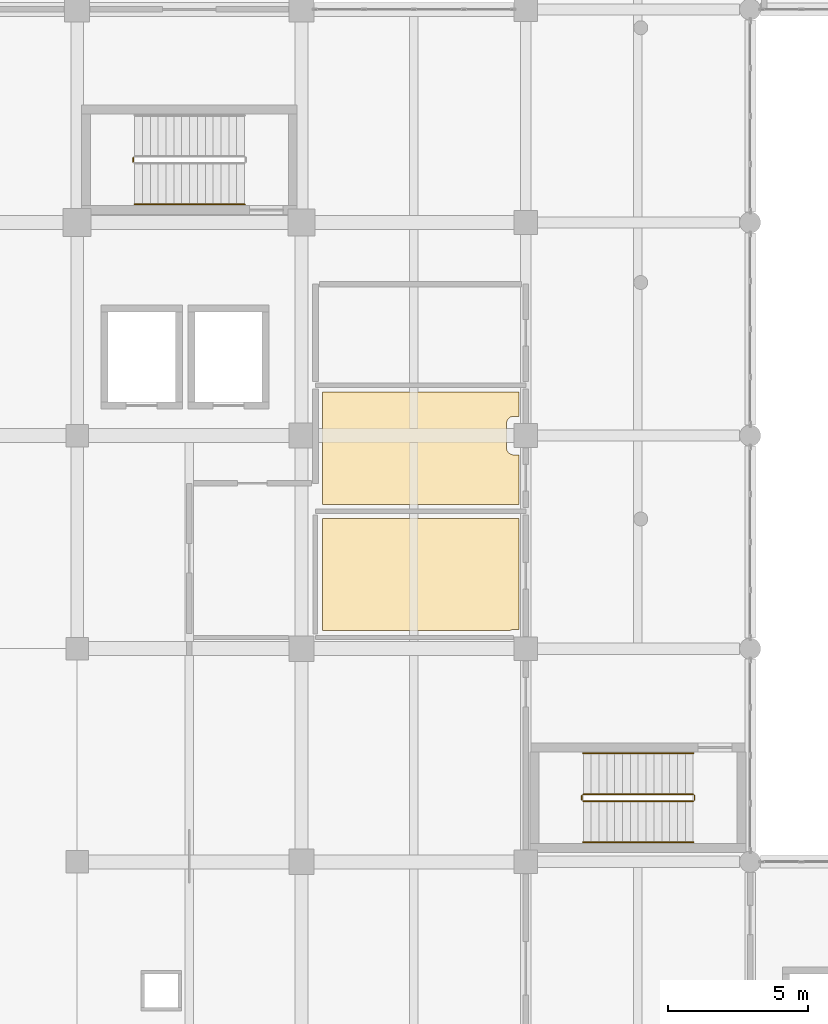
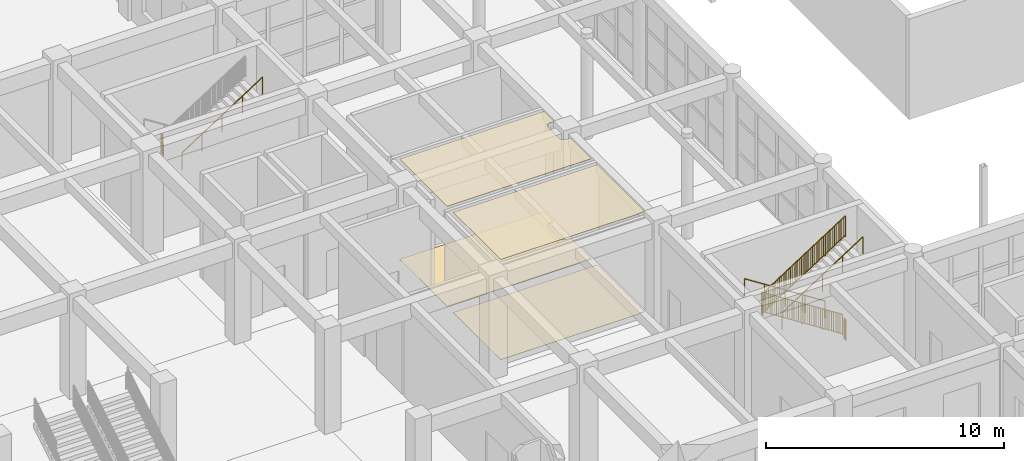
# One storey, part 92 of 95: 8 railings, 4 coverings.
"""IFC4 building model written with IfcOpenShell, lengths in metres."""

from ifc_helpers import new_model, si_unit, direction, frame, origin, origin_2d, place, context, subcontext, project, spatial, polyline, rectangle, circle, outline, extrude, material, layer, layer_set, type_object, element, save


model = new_model("IFC4")

# Units and contexts
model_context = context("Model", 3, precision=1e-05, world=origin(), true_north=direction((0.0, 1.0)))
body_context = subcontext(model_context, "Body", "Model", "MODEL_VIEW")
ifc_project = project(units=[si_unit("LENGTHUNIT", "METRE"), si_unit("AREAUNIT", "SQUARE_METRE"), si_unit("VOLUMEUNIT", "CUBIC_METRE"), si_unit("PLANEANGLEUNIT", "RADIAN"), si_unit("MASSUNIT", "GRAM", prefix="KILO")], contexts=[model_context])

# Site, building, storey
site_placement = place(None, origin())
site = spatial("IfcSite", under=ifc_project, at=site_placement, CompositionType="ELEMENT")
building_placement = place(site_placement, origin())
building = spatial("IfcBuilding", under=site, at=building_placement, Name="Zantavel Square City Hall", CompositionType="ELEMENT")
storey_placement = place(building_placement, origin())
storey = spatial("IfcBuildingStorey", under=building, at=storey_placement, Name="L01", CompositionType="ELEMENT", Elevation=0.0)

# Railings
ifc_material_1 = material(Name="Steel ASTM A500 Grade B", Category="steel")
railing_type_1 = type_object("IfcRailingType", Name="Atrium & Gallery Steel Guard Railing 1100mm", PredefinedType="GUARDRAIL", material=ifc_material_1)
railing_1_placement = place(storey_placement, frame((117.969970703125, 40.409912109375, 0.179931640625)))
element("IfcRailing", 1, at=railing_1_placement, inside=storey, type_object=railing_type_1, Name="L01 ST4 stair guard 1", PredefinedType="GUARDRAIL", context=body_context, shape_type="SweptSolid", body=[
    extrude(circle(Radius=0.02392578125, at=origin_2d()), frame((0.0, 0.0, 1.076171875), z_axis=(-0.841171666519, 0.0, 0.540768182723), x_axis=(0.0, -1.0, 0.0)), (0.0, 0.0, 1.0), 4.66015625),
    extrude(rectangle(XDim=0.031982421875, YDim=0.031982421875, at=origin_2d()), frame((0.0, 0.0, 0.080078125), z_axis=(-0.841171666519, 0.0, 0.540768182723), x_axis=(0.0, -1.0, 0.0)), (0.0, 0.0, 1.0), 4.66015625),
    extrude(rectangle(XDim=0.02197265625, YDim=0.02197265625, at=origin_2d()), frame((-0.089111328125, 0.0, 0.13720703125)), (0.0, 0.0, 1.0), 0.971923828125),
    extrude(rectangle(XDim=0.02197265625, YDim=0.02197265625, at=origin_2d()), frame((-0.17822265625, 0.0, 0.194580078125)), (0.0, 0.0, 1.0), 0.971923828125),
    extrude(rectangle(XDim=0.02197265625, YDim=0.02197265625, at=origin_2d()), frame((-0.267333984375, 0.0, 0.251708984375)), (0.0, 0.0, 1.0), 0.971923828125),
    extrude(rectangle(XDim=0.02197265625, YDim=0.02197265625, at=origin_2d()), frame((-0.3564453125, 0.0, 0.30908203125)), (0.0, 0.0, 1.0), 0.971923828125),
    extrude(rectangle(XDim=0.02197265625, YDim=0.02197265625, at=origin_2d()), frame((-0.445556640625, 0.0, 0.366455078125)), (0.0, 0.0, 1.0), 0.971923828125),
    extrude(rectangle(XDim=0.02197265625, YDim=0.02197265625, at=origin_2d()), frame((-0.534423828125, 0.0, 0.423583984375)), (0.0, 0.0, 1.0), 0.971923828125),
    extrude(rectangle(XDim=0.02197265625, YDim=0.02197265625, at=origin_2d()), frame((-0.62353515625, 0.0, 0.48095703125)), (0.0, 0.0, 1.0), 0.971923828125),
    extrude(rectangle(XDim=0.02197265625, YDim=0.02197265625, at=origin_2d()), frame((-0.712646484375, 0.0, 0.5380859375)), (0.0, 0.0, 1.0), 0.971923828125),
    extrude(rectangle(XDim=0.02197265625, YDim=0.02197265625, at=origin_2d()), frame((-0.8017578125, 0.0, 0.595458984375)), (0.0, 0.0, 1.0), 0.971923828125),
    extrude(rectangle(XDim=0.02197265625, YDim=0.02197265625, at=origin_2d()), frame((-0.890869140625, 0.0, 0.65283203125)), (0.0, 0.0, 1.0), 0.971923828125),
    extrude(rectangle(XDim=0.02197265625, YDim=0.02197265625, at=origin_2d()), frame((-1.069091796875, 0.0, 0.767333984375)), (0.0, 0.0, 1.0), 0.971923828125),
    extrude(rectangle(XDim=0.02197265625, YDim=0.02197265625, at=origin_2d()), frame((-1.158203125, 0.0, 0.824462890625)), (0.0, 0.0, 1.0), 0.971923828125),
    extrude(rectangle(XDim=0.02197265625, YDim=0.02197265625, at=origin_2d()), frame((-1.247314453125, 0.0, 0.8818359375)), (0.0, 0.0, 1.0), 0.971923828125),
    extrude(rectangle(XDim=0.02197265625, YDim=0.02197265625, at=origin_2d()), frame((-1.33642578125, 0.0, 0.939208984375)), (0.0, 0.0, 1.0), 0.971923828125),
    extrude(rectangle(XDim=0.02197265625, YDim=0.02197265625, at=origin_2d()), frame((-1.425537109375, 0.0, 0.996337890625)), (0.0, 0.0, 1.0), 0.971923828125),
    extrude(rectangle(XDim=0.02197265625, YDim=0.02197265625, at=origin_2d()), frame((-1.514404296875, 0.0, 1.0537109375)), (0.0, 0.0, 1.0), 0.971923828125),
    extrude(rectangle(XDim=0.02197265625, YDim=0.02197265625, at=origin_2d()), frame((-1.603515625, 0.0, 1.11083984375)), (0.0, 0.0, 1.0), 0.971923828125),
    extrude(rectangle(XDim=0.02197265625, YDim=0.02197265625, at=origin_2d()), frame((-1.692626953125, 0.0, 1.168212890625)), (0.0, 0.0, 1.0), 0.971923828125),
    extrude(rectangle(XDim=0.02197265625, YDim=0.02197265625, at=origin_2d()), frame((-1.78173828125, 0.0, 1.225341796875)), (0.0, 0.0, 1.0), 0.971923828125),
    extrude(rectangle(XDim=0.02197265625, YDim=0.02197265625, at=origin_2d()), frame((-1.870849609375, 0.0, 1.28271484375)), (0.0, 0.0, 1.0), 0.971923828125),
    extrude(rectangle(XDim=0.02197265625, YDim=0.02197265625, at=origin_2d()), frame((-2.049072265625, 0.0, 1.397216796875)), (0.0, 0.0, 1.0), 0.971923828125),
    extrude(rectangle(XDim=0.02197265625, YDim=0.02197265625, at=origin_2d()), frame((-2.13818359375, 0.0, 1.45458984375)), (0.0, 0.0, 1.0), 0.971923828125),
    extrude(rectangle(XDim=0.02197265625, YDim=0.02197265625, at=origin_2d()), frame((-2.227294921875, 0.0, 1.51171875)), (0.0, 0.0, 1.0), 0.971923828125),
    extrude(rectangle(XDim=0.02197265625, YDim=0.02197265625, at=origin_2d()), frame((-2.31640625, 0.0, 1.569091796875)), (0.0, 0.0, 1.0), 0.971923828125),
    extrude(rectangle(XDim=0.02197265625, YDim=0.02197265625, at=origin_2d()), frame((-2.405517578125, 0.0, 1.62646484375)), (0.0, 0.0, 1.0), 0.971923828125),
    extrude(rectangle(XDim=0.02197265625, YDim=0.02197265625, at=origin_2d()), frame((-2.494384765625, 0.0, 1.68359375)), (0.0, 0.0, 1.0), 0.971923828125),
    extrude(rectangle(XDim=0.02197265625, YDim=0.02197265625, at=origin_2d()), frame((-2.58349609375, 0.0, 1.740966796875)), (0.0, 0.0, 1.0), 0.971923828125),
    extrude(rectangle(XDim=0.02197265625, YDim=0.02197265625, at=origin_2d()), frame((-2.672607421875, 0.0, 1.798095703125)), (0.0, 0.0, 1.0), 0.971923828125),
    extrude(rectangle(XDim=0.02197265625, YDim=0.02197265625, at=origin_2d()), frame((-2.76171875, 0.0, 1.85546875)), (0.0, 0.0, 1.0), 0.971923828125),
    extrude(rectangle(XDim=0.02197265625, YDim=0.02197265625, at=origin_2d()), frame((-2.850830078125, 0.0, 1.912841796875)), (0.0, 0.0, 1.0), 0.971923828125),
    extrude(rectangle(XDim=0.02197265625, YDim=0.02197265625, at=origin_2d()), frame((-3.029052734375, 0.0, 2.02734375)), (0.0, 0.0, 1.0), 0.971923828125),
    extrude(rectangle(XDim=0.02197265625, YDim=0.02197265625, at=origin_2d()), frame((-3.1181640625, 0.0, 2.08447265625)), (0.0, 0.0, 1.0), 0.971923828125),
    extrude(rectangle(XDim=0.02197265625, YDim=0.02197265625, at=origin_2d()), frame((-3.207275390625, 0.0, 2.141845703125)), (0.0, 0.0, 1.0), 0.971923828125),
    extrude(rectangle(XDim=0.02197265625, YDim=0.02197265625, at=origin_2d()), frame((-3.29638671875, 0.0, 2.19921875)), (0.0, 0.0, 1.0), 0.971923828125),
    extrude(rectangle(XDim=0.02197265625, YDim=0.02197265625, at=origin_2d()), frame((-3.385498046875, 0.0, 2.25634765625)), (0.0, 0.0, 1.0), 0.971923828125),
    extrude(rectangle(XDim=0.02197265625, YDim=0.02197265625, at=origin_2d()), frame((-3.474365234375, 0.0, 2.313720703125)), (0.0, 0.0, 1.0), 0.971923828125),
    extrude(rectangle(XDim=0.02197265625, YDim=0.02197265625, at=origin_2d()), frame((-3.5634765625, 0.0, 2.370849609375)), (0.0, 0.0, 1.0), 0.971923828125),
    extrude(rectangle(XDim=0.02197265625, YDim=0.02197265625, at=origin_2d()), frame((-3.652587890625, 0.0, 2.42822265625)), (0.0, 0.0, 1.0), 0.971923828125),
    extrude(rectangle(XDim=0.02197265625, YDim=0.02197265625, at=origin_2d()), frame((-3.74169921875, 0.0, 2.4853515625)), (0.0, 0.0, 1.0), 0.971923828125),
    extrude(rectangle(XDim=0.02197265625, YDim=0.02197265625, at=origin_2d()), frame((-3.830810546875, 0.0, 2.542724609375)), (0.0, 0.0, 1.0), 0.971923828125),
    extrude(circle(Radius=0.02099609375, at=origin_2d()), origin(), (0.0, 0.0, 1.0), 1.052001953125),
    extrude(circle(Radius=0.02099609375, at=origin_2d()), frame((-0.97998046875, 0.0, 0.6298828125)), (0.0, 0.0, 1.0), 1.052001953125),
    extrude(circle(Radius=0.02099609375, at=origin_2d()), frame((-1.9599609375, 0.0, 1.260009765625)), (0.0, 0.0, 1.0), 1.052001953125),
    extrude(circle(Radius=0.02099609375, at=origin_2d()), frame((-2.93994140625, 0.0, 1.89013671875)), (0.0, 0.0, 1.0), 1.052001953125),
    extrude(circle(Radius=0.02099609375, at=origin_2d()), frame((-3.919921875, 0.0, 2.52001953125)), (0.0, 0.0, 1.0), 1.052001953125),
])
railing_2_placement = place(storey_placement, frame((114.0, 40.360107421875, 2.699951171875)))
element("IfcRailing", 2, at=railing_2_placement, inside=storey, type_object=railing_type_1, Name="L01 ST4 stair guard 2", PredefinedType="GUARDRAIL", context=body_context, shape_type="SweptSolid", body=[
    extrude(circle(Radius=0.02392578125, at=origin_2d()), frame((0.0, 0.0, 1.076171875), z_axis=(0.0, -1.0, 0.0), x_axis=(1.0, 0.0, 0.0)), (0.0, 0.0, 1.0), 0.150146484375),
    extrude(rectangle(XDim=0.031982421875, YDim=0.031982421875, at=origin_2d()), frame((0.0, 0.0, 0.080078125), z_axis=(0.0, -1.0, 0.0), x_axis=(1.0, 0.0, 0.0)), (0.0, 0.0, 1.0), 0.150146484375),
    extrude(rectangle(XDim=0.02197265625, YDim=0.02197265625, at=origin_2d()), frame((0.0, -0.0751953125, 0.080078125)), (0.0, 0.0, 1.0), 0.971923828125),
    extrude(circle(Radius=0.02099609375, at=origin_2d()), origin(), (0.0, 0.0, 1.0), 1.052001953125),
    extrude(circle(Radius=0.02099609375, at=origin_2d()), frame((0.0, -0.150146484375, 0.0)), (0.0, 0.0, 1.0), 1.052001953125),
])
railing_3_placement = place(storey_placement, frame((114.050048828125, 40.159912109375, 2.8798828125)))
element("IfcRailing", 3, at=railing_3_placement, inside=storey, type_object=railing_type_1, Name="L01 ST4 stair guard 3", PredefinedType="GUARDRAIL", context=body_context, shape_type="SweptSolid", body=[
    extrude(circle(Radius=0.02392578125, at=origin_2d()), frame((0.0, 0.0, 1.076171875), z_axis=(0.841171666519, 0.0, 0.540768182723), x_axis=(0.0, 1.0, 0.0)), (0.0, 0.0, 1.0), 4.66015625),
    extrude(rectangle(XDim=0.031982421875, YDim=0.031982421875, at=origin_2d()), frame((0.0, 0.0, 0.080078125), z_axis=(0.841171666519, 0.0, 0.540768182723), x_axis=(0.0, 1.0, 0.0)), (0.0, 0.0, 1.0), 4.66015625),
    extrude(rectangle(XDim=0.02197265625, YDim=0.02197265625, at=origin_2d()), frame((0.089111328125, 0.0, 0.13720703125)), (0.0, 0.0, 1.0), 0.971923828125),
    extrude(rectangle(XDim=0.02197265625, YDim=0.02197265625, at=origin_2d()), frame((0.17822265625, 0.0, 0.194580078125)), (0.0, 0.0, 1.0), 0.971923828125),
    extrude(rectangle(XDim=0.02197265625, YDim=0.02197265625, at=origin_2d()), frame((0.267333984375, 0.0, 0.251708984375)), (0.0, 0.0, 1.0), 0.971923828125),
    extrude(rectangle(XDim=0.02197265625, YDim=0.02197265625, at=origin_2d()), frame((0.3564453125, 0.0, 0.30908203125)), (0.0, 0.0, 1.0), 0.971923828125),
    extrude(rectangle(XDim=0.02197265625, YDim=0.02197265625, at=origin_2d()), frame((0.445556640625, 0.0, 0.366455078125)), (0.0, 0.0, 1.0), 0.971923828125),
    extrude(rectangle(XDim=0.02197265625, YDim=0.02197265625, at=origin_2d()), frame((0.534423828125, 0.0, 0.423583984375)), (0.0, 0.0, 1.0), 0.971923828125),
    extrude(rectangle(XDim=0.02197265625, YDim=0.02197265625, at=origin_2d()), frame((0.62353515625, 0.0, 0.48095703125)), (0.0, 0.0, 1.0), 0.971923828125),
    extrude(rectangle(XDim=0.02197265625, YDim=0.02197265625, at=origin_2d()), frame((0.712646484375, 0.0, 0.5380859375)), (0.0, 0.0, 1.0), 0.971923828125),
    extrude(rectangle(XDim=0.02197265625, YDim=0.02197265625, at=origin_2d()), frame((0.8017578125, 0.0, 0.595458984375)), (0.0, 0.0, 1.0), 0.971923828125),
    extrude(rectangle(XDim=0.02197265625, YDim=0.02197265625, at=origin_2d()), frame((0.890869140625, 0.0, 0.65283203125)), (0.0, 0.0, 1.0), 0.971923828125),
    extrude(rectangle(XDim=0.02197265625, YDim=0.02197265625, at=origin_2d()), frame((1.069091796875, 0.0, 0.767333984375)), (0.0, 0.0, 1.0), 0.971923828125),
    extrude(rectangle(XDim=0.02197265625, YDim=0.02197265625, at=origin_2d()), frame((1.158203125, 0.0, 0.824462890625)), (0.0, 0.0, 1.0), 0.971923828125),
    extrude(rectangle(XDim=0.02197265625, YDim=0.02197265625, at=origin_2d()), frame((1.247314453125, 0.0, 0.8818359375)), (0.0, 0.0, 1.0), 0.971923828125),
    extrude(rectangle(XDim=0.02197265625, YDim=0.02197265625, at=origin_2d()), frame((1.33642578125, 0.0, 0.939208984375)), (0.0, 0.0, 1.0), 0.971923828125),
    extrude(rectangle(XDim=0.02197265625, YDim=0.02197265625, at=origin_2d()), frame((1.425537109375, 0.0, 0.996337890625)), (0.0, 0.0, 1.0), 0.971923828125),
    extrude(rectangle(XDim=0.02197265625, YDim=0.02197265625, at=origin_2d()), frame((1.514404296875, 0.0, 1.0537109375)), (0.0, 0.0, 1.0), 0.971923828125),
    extrude(rectangle(XDim=0.02197265625, YDim=0.02197265625, at=origin_2d()), frame((1.603515625, 0.0, 1.11083984375)), (0.0, 0.0, 1.0), 0.971923828125),
    extrude(rectangle(XDim=0.02197265625, YDim=0.02197265625, at=origin_2d()), frame((1.692626953125, 0.0, 1.168212890625)), (0.0, 0.0, 1.0), 0.971923828125),
    extrude(rectangle(XDim=0.02197265625, YDim=0.02197265625, at=origin_2d()), frame((1.78173828125, 0.0, 1.225341796875)), (0.0, 0.0, 1.0), 0.971923828125),
    extrude(rectangle(XDim=0.02197265625, YDim=0.02197265625, at=origin_2d()), frame((1.870849609375, 0.0, 1.28271484375)), (0.0, 0.0, 1.0), 0.971923828125),
    extrude(rectangle(XDim=0.02197265625, YDim=0.02197265625, at=origin_2d()), frame((2.049072265625, 0.0, 1.397216796875)), (0.0, 0.0, 1.0), 0.971923828125),
    extrude(rectangle(XDim=0.02197265625, YDim=0.02197265625, at=origin_2d()), frame((2.13818359375, 0.0, 1.45458984375)), (0.0, 0.0, 1.0), 0.971923828125),
    extrude(rectangle(XDim=0.02197265625, YDim=0.02197265625, at=origin_2d()), frame((2.227294921875, 0.0, 1.51171875)), (0.0, 0.0, 1.0), 0.971923828125),
    extrude(rectangle(XDim=0.02197265625, YDim=0.02197265625, at=origin_2d()), frame((2.31640625, 0.0, 1.569091796875)), (0.0, 0.0, 1.0), 0.971923828125),
    extrude(rectangle(XDim=0.02197265625, YDim=0.02197265625, at=origin_2d()), frame((2.405517578125, 0.0, 1.62646484375)), (0.0, 0.0, 1.0), 0.971923828125),
    extrude(rectangle(XDim=0.02197265625, YDim=0.02197265625, at=origin_2d()), frame((2.494384765625, 0.0, 1.68359375)), (0.0, 0.0, 1.0), 0.971923828125),
    extrude(rectangle(XDim=0.02197265625, YDim=0.02197265625, at=origin_2d()), frame((2.58349609375, 0.0, 1.740966796875)), (0.0, 0.0, 1.0), 0.971923828125),
    extrude(rectangle(XDim=0.02197265625, YDim=0.02197265625, at=origin_2d()), frame((2.672607421875, 0.0, 1.798095703125)), (0.0, 0.0, 1.0), 0.971923828125),
    extrude(rectangle(XDim=0.02197265625, YDim=0.02197265625, at=origin_2d()), frame((2.76171875, 0.0, 1.85546875)), (0.0, 0.0, 1.0), 0.971923828125),
    extrude(rectangle(XDim=0.02197265625, YDim=0.02197265625, at=origin_2d()), frame((2.850830078125, 0.0, 1.912841796875)), (0.0, 0.0, 1.0), 0.971923828125),
    extrude(rectangle(XDim=0.02197265625, YDim=0.02197265625, at=origin_2d()), frame((3.029052734375, 0.0, 2.02734375)), (0.0, 0.0, 1.0), 0.971923828125),
    extrude(rectangle(XDim=0.02197265625, YDim=0.02197265625, at=origin_2d()), frame((3.1181640625, 0.0, 2.08447265625)), (0.0, 0.0, 1.0), 0.971923828125),
    extrude(rectangle(XDim=0.02197265625, YDim=0.02197265625, at=origin_2d()), frame((3.207275390625, 0.0, 2.141845703125)), (0.0, 0.0, 1.0), 0.971923828125),
    extrude(rectangle(XDim=0.02197265625, YDim=0.02197265625, at=origin_2d()), frame((3.29638671875, 0.0, 2.19921875)), (0.0, 0.0, 1.0), 0.971923828125),
    extrude(rectangle(XDim=0.02197265625, YDim=0.02197265625, at=origin_2d()), frame((3.385498046875, 0.0, 2.25634765625)), (0.0, 0.0, 1.0), 0.971923828125),
    extrude(rectangle(XDim=0.02197265625, YDim=0.02197265625, at=origin_2d()), frame((3.474365234375, 0.0, 2.313720703125)), (0.0, 0.0, 1.0), 0.971923828125),
    extrude(rectangle(XDim=0.02197265625, YDim=0.02197265625, at=origin_2d()), frame((3.5634765625, 0.0, 2.370849609375)), (0.0, 0.0, 1.0), 0.971923828125),
    extrude(rectangle(XDim=0.02197265625, YDim=0.02197265625, at=origin_2d()), frame((3.652587890625, 0.0, 2.42822265625)), (0.0, 0.0, 1.0), 0.971923828125),
    extrude(rectangle(XDim=0.02197265625, YDim=0.02197265625, at=origin_2d()), frame((3.74169921875, 0.0, 2.4853515625)), (0.0, 0.0, 1.0), 0.971923828125),
    extrude(rectangle(XDim=0.02197265625, YDim=0.02197265625, at=origin_2d()), frame((3.830810546875, 0.0, 2.542724609375)), (0.0, 0.0, 1.0), 0.971923828125),
    extrude(circle(Radius=0.02099609375, at=origin_2d()), origin(), (0.0, 0.0, 1.0), 1.052001953125),
    extrude(circle(Radius=0.02099609375, at=origin_2d()), frame((0.97998046875, 0.0, 0.6298828125)), (0.0, 0.0, 1.0), 1.052001953125),
    extrude(circle(Radius=0.02099609375, at=origin_2d()), frame((1.9599609375, 0.0, 1.260009765625)), (0.0, 0.0, 1.0), 1.052001953125),
    extrude(circle(Radius=0.02099609375, at=origin_2d()), frame((2.93994140625, 0.0, 1.89013671875)), (0.0, 0.0, 1.0), 1.052001953125),
    extrude(circle(Radius=0.02099609375, at=origin_2d()), frame((3.919921875, 0.0, 2.52001953125)), (0.0, 0.0, 1.0), 1.052001953125),
])
for number, where, name in (
    (4, (118.02001953125, 40.360107421875, 0.0), "L01 ST4 stair guard 4"),
    (5, (98.0, 63.110107421875, 2.699951171875), "L01 ST6 stair guard 2"),
):
    element("IfcRailing", number, at=place(storey_placement, frame(where)), inside=storey, type_object=railing_type_1, Name=name, PredefinedType="GUARDRAIL", context=body_context, shape_type="SweptSolid", body=[
        extrude(circle(Radius=0.02392578125, at=origin_2d()), frame((0.0, 0.0, 1.076171875), z_axis=(0.0, -1.0, 0.0), x_axis=(1.0, 0.0, 0.0)), (0.0, 0.0, 1.0), 0.150146484375),
        extrude(rectangle(XDim=0.031982421875, YDim=0.031982421875, at=origin_2d()), frame((0.0, 0.0, 0.080078125), z_axis=(0.0, -1.0, 0.0), x_axis=(1.0, 0.0, 0.0)), (0.0, 0.0, 1.0), 0.150146484375),
        extrude(rectangle(XDim=0.02197265625, YDim=0.02197265625, at=origin_2d()), frame((0.0, -0.0751953125, 0.080078125)), (0.0, 0.0, 1.0), 0.971923828125),
        extrude(circle(Radius=0.02099609375, at=origin_2d()), origin(), (0.0, 0.0, 1.0), 1.052001953125),
        extrude(circle(Radius=0.02099609375, at=origin_2d()), frame((0.0, -0.150146484375, 0.0)), (0.0, 0.0, 1.0), 1.052001953125),
    ])

# Coverings
ifc_material_2 = material(Name="Terrazzo stone finish", Category="masonry")
ifc_layer_1 = layer(ifc_material_2, 0.02001953125, Name="Terrazzo stone finish")
ifc_layer_set_1 = layer_set([ifc_layer_1], Name="Terrazzo stone finish")
covering_type_1 = type_object("IfcCoveringType", Name="Honed Cantera-Terrazzo Civic Flooring 20mm", PredefinedType="FLOORING", material=ifc_layer_set_1)
covering_1_placement = place(storey_placement, origin())
element("IfcCovering", 6, at=covering_1_placement, inside=storey, type_object=covering_type_1, Name="L01 L01 East Mens Restroom Terrazzo Flooring", PredefinedType="FLOORING", context=body_context, shape_type="SweptSolid", body=[
    extrude(outline(polyline([(104.75, 50.25), (111.75, 50.25), (111.75, 46.284912109375), (111.56494140625, 46.284912109375), (111.54052734375, 46.28369140625), (111.51611328125, 46.2802734375), (111.492431640625, 46.274169921875), (111.46923828125, 46.26611328125), (111.447265625, 46.255615234375), (111.43798828125, 46.25), (104.75, 46.25), (104.75, 50.25)])), origin(), (0.0, 0.0, 1.0), 0.02001953125),
])
covering_2_placement = place(storey_placement, origin())
element("IfcCovering", 7, at=covering_2_placement, inside=storey, type_object=covering_type_1, Name="L01 L01 East Womens Restroom Terrazzo Flooring", PredefinedType="FLOORING", context=body_context, shape_type="SweptSolid", body=[
    extrude(outline(polyline([(111.54052734375, 53.8837890625), (111.51611328125, 53.880126953125), (111.492431640625, 53.874267578125), (111.46923828125, 53.865966796875), (111.447265625, 53.85546875), (111.426025390625, 53.843017578125), (111.406494140625, 53.828369140625), (111.38818359375, 53.811767578125), (111.37158203125, 53.793701171875), (111.357177734375, 53.77392578125), (111.344482421875, 53.752685546875), (111.333984375, 53.730712890625), (111.32568359375, 53.70751953125), (111.31982421875, 53.683837890625), (111.316162109375, 53.659423828125), (111.31494140625, 53.635009765625), (111.31494140625, 52.764892578125), (111.316162109375, 52.740478515625), (111.31982421875, 52.71630859375), (111.32568359375, 52.6923828125), (111.333984375, 52.669189453125), (111.344482421875, 52.647216796875), (111.357177734375, 52.626220703125), (111.37158203125, 52.6064453125), (111.38818359375, 52.588134765625), (111.406494140625, 52.57177734375), (111.426025390625, 52.55712890625), (111.447265625, 52.54443359375), (111.46923828125, 52.533935546875), (111.492431640625, 52.52587890625), (111.51611328125, 52.519775390625), (111.54052734375, 52.51611328125), (111.56494140625, 52.514892578125), (111.75, 52.514892578125), (111.75, 50.75), (104.75, 50.75), (104.75, 54.75), (111.75, 54.75), (111.75, 53.885009765625), (111.56494140625, 53.885009765625), (111.54052734375, 53.8837890625)])), origin(), (0.0, 0.0, 1.0), 0.02001953125),
])
ifc_material_3 = material(Name="Gypsum acoustic stud assembly", Category="masonry")
ifc_layer_2 = layer(ifc_material_3, 0.02490234375, Name="Gypsum acoustic stud assembly")
ifc_layer_set_2 = layer_set([ifc_layer_2], Name="Gypsum acoustic stud assembly")
covering_type_2 = type_object("IfcCoveringType", Name="Perforated Gypsum Acoustic Ceiling 25mm", PredefinedType="CEILING", material=ifc_layer_set_2)
covering_3_placement = place(storey_placement, frame((0.0, 0.0, 5.135009765625)))
element("IfcCovering", 8, at=covering_3_placement, inside=storey, type_object=covering_type_2, Name="L01 L01 East Mens Restroom Acoustic Ceiling", PredefinedType="CEILING", context=body_context, shape_type="SweptSolid", body=[
    extrude(outline(polyline([(104.75, 50.25), (111.75, 50.25), (111.75, 46.284912109375), (111.56494140625, 46.284912109375), (111.54052734375, 46.28369140625), (111.51611328125, 46.2802734375), (111.492431640625, 46.274169921875), (111.46923828125, 46.26611328125), (111.447265625, 46.255615234375), (111.43798828125, 46.25), (104.75, 46.25), (104.75, 50.25)])), origin(), (0.0, 0.0, 1.0), 0.02490234375),
])
covering_4_placement = place(storey_placement, frame((0.0, 0.0, 5.135009765625)))
element("IfcCovering", 9, at=covering_4_placement, inside=storey, type_object=covering_type_2, Name="L01 L01 East Womens Restroom Acoustic Ceiling", PredefinedType="CEILING", context=body_context, shape_type="SweptSolid", body=[
    extrude(outline(polyline([(111.54052734375, 53.8837890625), (111.51611328125, 53.880126953125), (111.492431640625, 53.874267578125), (111.46923828125, 53.865966796875), (111.447265625, 53.85546875), (111.426025390625, 53.843017578125), (111.406494140625, 53.828369140625), (111.38818359375, 53.811767578125), (111.37158203125, 53.793701171875), (111.357177734375, 53.77392578125), (111.344482421875, 53.752685546875), (111.333984375, 53.730712890625), (111.32568359375, 53.70751953125), (111.31982421875, 53.683837890625), (111.316162109375, 53.659423828125), (111.31494140625, 53.635009765625), (111.31494140625, 52.764892578125), (111.316162109375, 52.740478515625), (111.31982421875, 52.71630859375), (111.32568359375, 52.6923828125), (111.333984375, 52.669189453125), (111.344482421875, 52.647216796875), (111.357177734375, 52.626220703125), (111.37158203125, 52.6064453125), (111.38818359375, 52.588134765625), (111.406494140625, 52.57177734375), (111.426025390625, 52.55712890625), (111.447265625, 52.54443359375), (111.46923828125, 52.533935546875), (111.492431640625, 52.52587890625), (111.51611328125, 52.519775390625), (111.54052734375, 52.51611328125), (111.56494140625, 52.514892578125), (111.75, 52.514892578125), (111.75, 50.75), (104.75, 50.75), (104.75, 54.75), (111.75, 54.75), (111.75, 53.885009765625), (111.56494140625, 53.885009765625), (111.54052734375, 53.8837890625)])), origin(), (0.0, 0.0, 1.0), 0.02490234375),
])

# Railings
ifc_material_4 = material(Name="Stainless steel 316", Category="steel")
railing_type_2 = type_object("IfcRailingType", Name="Stair Stainless Steel Handrail 900mm", PredefinedType="HANDRAIL", material=ifc_material_4)
railing_4_placement = place(storey_placement, frame((117.969970703125, 41.8701171875, 0.179931640625)))
element("IfcRailing", 10, at=railing_4_placement, inside=storey, type_object=railing_type_2, Name="L01 ST4 stair handrail 1", PredefinedType="HANDRAIL", context=body_context, shape_type="SweptSolid", body=[
    extrude(circle(Radius=0.02392578125, at=origin_2d()), frame((0.0, 0.0, 0.8759765625), z_axis=(-0.841171666519, 0.0, 0.540768182723), x_axis=(0.0, -1.0, 0.0)), (0.0, 0.0, 1.0), 4.66015625),
    extrude(circle(Radius=0.02099609375, at=origin_2d()), origin(), (0.0, 0.0, 1.0), 0.851806640625),
    extrude(circle(Radius=0.02099609375, at=origin_2d()), frame((-0.97998046875, 0.0, 0.6298828125)), (0.0, 0.0, 1.0), 0.851806640625),
    extrude(circle(Radius=0.02099609375, at=origin_2d()), frame((-1.9599609375, 0.0, 1.260009765625)), (0.0, 0.0, 1.0), 0.851806640625),
    extrude(circle(Radius=0.02099609375, at=origin_2d()), frame((-2.93994140625, 0.0, 1.89013671875)), (0.0, 0.0, 1.0), 0.851806640625),
    extrude(circle(Radius=0.02099609375, at=origin_2d()), frame((-3.919921875, 0.0, 2.52001953125)), (0.0, 0.0, 1.0), 0.851806640625),
])
for number, where, name in (
    (11, (114.050048828125, 38.699951171875, 2.8798828125), "L01 ST4 stair handrail 2"),
    (12, (98.050048828125, 61.449951171875, 2.8798828125), "L01 ST6 stair handrail 2"),
):
    element("IfcRailing", number, at=place(storey_placement, frame(where)), inside=storey, type_object=railing_type_2, Name=name, PredefinedType="HANDRAIL", context=body_context, shape_type="SweptSolid", body=[
        extrude(circle(Radius=0.02392578125, at=origin_2d()), frame((0.0, 0.0, 0.8759765625), z_axis=(0.841171666519, 0.0, 0.540768182723), x_axis=(0.0, 1.0, 0.0)), (0.0, 0.0, 1.0), 4.66015625),
        extrude(circle(Radius=0.02099609375, at=origin_2d()), origin(), (0.0, 0.0, 1.0), 0.851806640625),
        extrude(circle(Radius=0.02099609375, at=origin_2d()), frame((0.97998046875, 0.0, 0.6298828125)), (0.0, 0.0, 1.0), 0.851806640625),
        extrude(circle(Radius=0.02099609375, at=origin_2d()), frame((1.9599609375, 0.0, 1.260009765625)), (0.0, 0.0, 1.0), 0.851806640625),
        extrude(circle(Radius=0.02099609375, at=origin_2d()), frame((2.93994140625, 0.0, 1.89013671875)), (0.0, 0.0, 1.0), 0.851806640625),
        extrude(circle(Radius=0.02099609375, at=origin_2d()), frame((3.919921875, 0.0, 2.52001953125)), (0.0, 0.0, 1.0), 0.851806640625),
    ])

save(model, "model.ifc")
